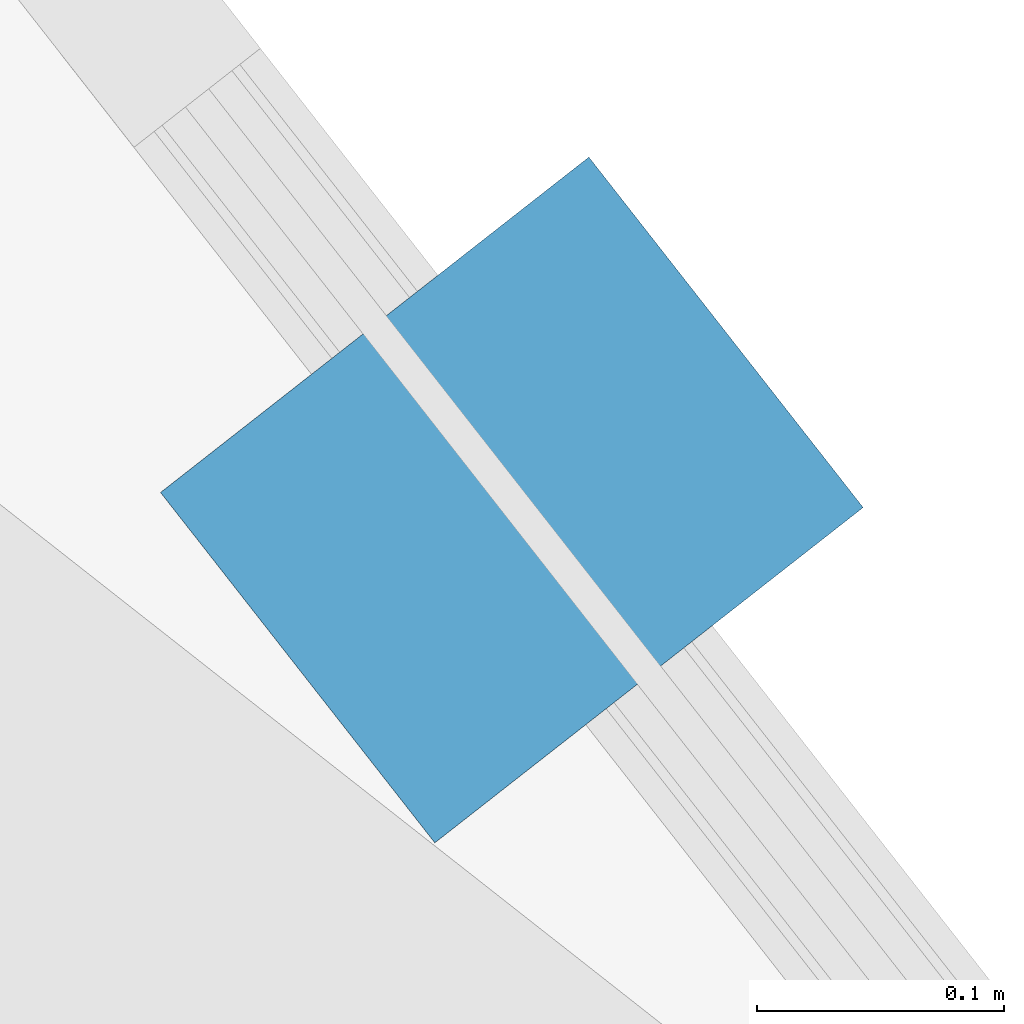
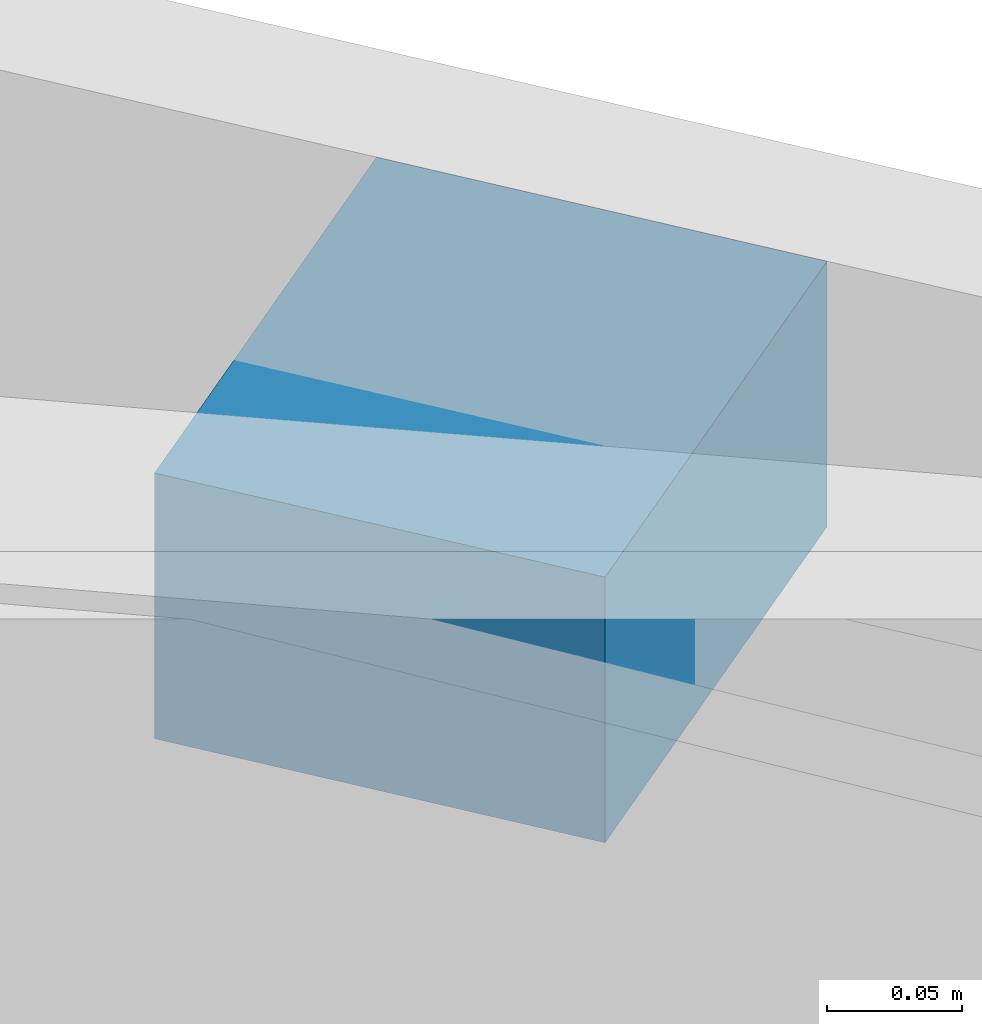
# One storey, part 10 of 13: 1 discrete accessory.
"""IFC4 building model written with IfcOpenShell, lengths in metres."""

import ifcopenshell
import ifcopenshell.guid

model = None  # the IFC model being written
_history = None  # IfcOwnerHistory: only IFC2X3 demands one
_inside = {}  # id of a spatial element -> (the spatial element, [elements in it])
_under = {}  # id of a project, library or spatial element -> (it, [spatial elements below it])
_declared = {}  # id of a project -> (the project, [libraries it declares])
_typed = {}  # id of a type object -> (the type object, [elements of that type])
_made_of = {}  # id of a material, layer set ... -> (it, [elements and type objects made of it])


def new_model(schema):
    """Start an empty IFC model of exactly this schema.

    Asked for "IFC4X3", IfcOpenShell would pick the latest addendum, in which some entities
    have other attributes; the version numbers below select the first issue.
    IFC2X3 requires an IfcOwnerHistory on every rooted entity: one is made here for all.
    """
    global model, _history
    if schema == "IFC4X3":
        model = ifcopenshell.file(schema_version=(4, 3, 0, 0))
    else:
        model = ifcopenshell.file(schema=schema)
    _inside.clear()
    _under.clear()
    _declared.clear()
    _typed.clear()
    _made_of.clear()
    _history = None
    if model.schema == "IFC2X3":
        org = make("IfcOrganization", Name="unknown")
        user = make(
            "IfcPersonAndOrganization",
            ThePerson=make("IfcPerson", FamilyName="unknown"),
            TheOrganization=org,
        )
        app = make(
            "IfcApplication",
            ApplicationDeveloper=org,
            Version="unknown",
            ApplicationFullName="unknown",
            ApplicationIdentifier="unknown",
        )
        _history = make(
            "IfcOwnerHistory",
            OwningUser=user,
            OwningApplication=app,
            ChangeAction="ADDED",
            CreationDate=0,
        )
    return model


def make(cls, **values):
    """One entity of the class cls with the attributes given. An attribute that is None is left unset."""
    return model.create_entity(
        cls, **{name: value for name, value in values.items() if value is not None}
    )


def rooted(cls, **values):
    """An entity with a GlobalId (a new one), such as an element, a storey or a relation."""
    return make(cls, GlobalId=ifcopenshell.guid.new(), OwnerHistory=_history, **values)


def si_unit(unit_type, name, prefix=None):
    """IfcSIUnit, for example si_unit("LENGTHUNIT", "METRE", prefix="MILLI")."""
    return make("IfcSIUnit", UnitType=unit_type, Prefix=prefix, Name=name)


def assignment(units):
    """IfcUnitAssignment: the units of a project."""
    return None if units is None else make("IfcUnitAssignment", Units=units)


def point(xyz):
    """IfcCartesianPoint."""
    return None if xyz is None else make("IfcCartesianPoint", Coordinates=xyz)


def direction(xyz):
    """IfcDirection."""
    return None if xyz is None else make("IfcDirection", DirectionRatios=xyz)


def frame(location, z_axis=None, x_axis=None):
    """IfcAxis2Placement3D, a coordinate frame: its origin and axes. An axis left out is left unset."""
    return make(
        "IfcAxis2Placement3D",
        Location=point(location),
        Axis=direction(z_axis),
        RefDirection=direction(x_axis),
    )


def frame_2d(location, x_axis=None):
    """IfcAxis2Placement2D, a coordinate frame in the plane: its origin and x axis."""
    return make(
        "IfcAxis2Placement2D", Location=point(location), RefDirection=direction(x_axis)
    )


def origin():
    """The frame at (0, 0, 0) with its axes left unset."""
    return frame((0.0, 0.0, 0.0))


def origin_2d():
    """The frame at (0, 0) in the plane with its x axis left unset."""
    return frame_2d((0.0, 0.0))


def place(relative_to, where):
    """IfcLocalPlacement: puts the frame where relative to a parent placement (None: the world)."""
    return make(
        "IfcLocalPlacement", PlacementRelTo=relative_to, RelativePlacement=where
    )


def context(
    kind, dimensions, precision=None, world=None, true_north=None, identifier=None
):
    """IfcGeometricRepresentationContext, for example the 3D "Model" context."""
    return make(
        "IfcGeometricRepresentationContext",
        ContextIdentifier=identifier,
        ContextType=kind,
        CoordinateSpaceDimension=dimensions,
        Precision=precision,
        WorldCoordinateSystem=world,
        TrueNorth=true_north,
    )


def subcontext(parent, identifier, kind, view, scale=None):
    """IfcGeometricRepresentationSubContext, for example "Body" below "Model"."""
    return make(
        "IfcGeometricRepresentationSubContext",
        ContextIdentifier=identifier,
        ContextType=kind,
        ParentContext=parent,
        TargetScale=scale,
        TargetView=view,
    )


def project(units=None, contexts=None):
    """IfcProject with its units and contexts."""
    return rooted(
        "IfcProject",
        Name="project",
        RepresentationContexts=contexts,
        UnitsInContext=assignment(units),
    )


def spatial(cls, under=None, at=None, **own):
    """A site, building, storey or space (cls), placed at a placement, below another one or the project."""
    s = rooted(cls, ObjectPlacement=at, **own)
    if under is not None:
        _under.setdefault(under.id(), (under, []))[1].append(s)
    return s


def profile(cls, at=None, kind="AREA", **sizes):
    """A parametric profile (cls). Its sizes go by their IFC names, for example OverallWidth=200.0."""
    return make(cls, ProfileType=kind, Position=at, **sizes)


def rectangle(**sizes):
    """IfcRectangleProfileDef."""
    return profile("IfcRectangleProfileDef", **sizes)


def extrude(swept, where, along, depth):
    """IfcExtrudedAreaSolid: the profile swept, set in the frame where, extruded along a direction by depth."""
    return make(
        "IfcExtrudedAreaSolid",
        SweptArea=swept,
        Position=where,
        ExtrudedDirection=direction(along),
        Depth=depth,
    )


def shape(context_of_items, identifier, shape_type, items):
    """IfcShapeRepresentation: the items that make up one representation, for example the "Body"."""
    return make(
        "IfcShapeRepresentation",
        ContextOfItems=context_of_items,
        RepresentationIdentifier=identifier,
        RepresentationType=shape_type,
        Items=items,
    )


def material(Name=None, Category=None):
    """IfcMaterial."""
    return make("IfcMaterial", Name=Name, Category=Category)


def made_of(thing, what):
    """Note that an element or type object is made of a material, layer set ...; save() writes the relation."""
    if what is not None:
        _made_of.setdefault(what.id(), (what, []))[1].append(thing)
    return thing


def type_object(cls, material=None, **own):
    """A type object (cls), such as IfcWallType, which elements share."""
    return made_of(rooted(cls, **own), material)


def element(
    cls,
    number,
    at=None,
    inside=None,
    cuts=None,
    type_object=None,
    material=None,
    context=None,
    identifier="Body",
    shape_type=None,
    held_by="IfcProductDefinitionShape",
    body=None,
    shapes=None,
    **own,
):
    """One element of the class cls, such as IfcWall. Its Tag is "e" and its number.

    at: its placement. inside: the storey or other place that contains it. cuts: it is an
    opening in that element (IfcRelVoidsElement). A single representation is given by context,
    identifier, shape_type and body (its items); several are given by shapes. held_by: the class
    of the entity that holds the representations. save() writes the other relations.
    """
    e = rooted(cls, Tag="e%d" % number, ObjectPlacement=at, **own)
    if body is not None:
        shapes = [shape(context, identifier, shape_type, body)]
    if shapes is not None:
        e.Representation = make(held_by, Representations=shapes)
    if inside is not None:
        _inside.setdefault(inside.id(), (inside, []))[1].append(e)
    if cuts is not None:
        rooted(
            "IfcRelVoidsElement", RelatingBuildingElement=cuts, RelatedOpeningElement=e
        )
    if type_object is not None:
        _typed.setdefault(type_object.id(), (type_object, []))[1].append(e)
    return made_of(e, material)


def aggregate(whole, parts):
    """IfcRelAggregates: a whole, such as a stair, and the parts it consists of."""
    return rooted("IfcRelAggregates", RelatingObject=whole, RelatedObjects=parts)


def save(model, path):
    """Write the relations noted so far, then the file.

    IfcRelAggregates (storeys below a building ...), IfcRelContainedInSpatialStructure (elements
    in a storey), IfcRelDefinesByType, IfcRelAssociatesMaterial and IfcRelDeclares: one each for
    every whole, place, type object, material and project.
    """
    for whole, parts in _under.values():
        aggregate(whole, parts)
    for where, things in _inside.values():
        rooted(
            "IfcRelContainedInSpatialStructure",
            RelatedElements=things,
            RelatingStructure=where,
        )
    for kind, things in _typed.values():
        rooted("IfcRelDefinesByType", RelatedObjects=things, RelatingType=kind)
    for what, things in _made_of.values():
        rooted("IfcRelAssociatesMaterial", RelatedObjects=things, RelatingMaterial=what)
    for by, libraries in _declared.values():
        rooted("IfcRelDeclares", RelatingContext=by, RelatedDefinitions=libraries)
    model.write(path)


model = new_model("IFC4")

# Units and contexts
model_context = context("Model", 3, precision=1e-05, world=origin(), true_north=direction((0.0, 1.0)))
body_context = subcontext(model_context, "Body", "Model", "MODEL_VIEW")
ifc_project = project(units=[si_unit("LENGTHUNIT", "METRE"), si_unit("AREAUNIT", "SQUARE_METRE"), si_unit("VOLUMEUNIT", "CUBIC_METRE"), si_unit("PLANEANGLEUNIT", "RADIAN"), si_unit("MASSUNIT", "GRAM", prefix="KILO")], contexts=[model_context])

# Site, building, storey
site_placement = place(None, origin())
site = spatial("IfcSite", under=ifc_project, at=site_placement, CompositionType="ELEMENT")
building_placement = place(site_placement, origin())
building = spatial("IfcBuilding", under=site, at=building_placement, Name="Kolvaren Gate Tower and Convention Centre", CompositionType="ELEMENT")
storey_placement = place(building_placement, frame((0.0, 0.0, 142.699951171875)))
storey = spatial("IfcBuildingStorey", under=building, at=storey_placement, Name="L36", CompositionType="ELEMENT", Elevation=142.699951171875)

# Discrete accessory
ifc_material = material(Name="Anodized Architectural Aluminium Alloy 6063-T6", Category="aluminium")
discrete_accessory_type = type_object("IfcDiscreteAccessoryType", Name="ARCH-ACC-BRACKET-120", PredefinedType="BRACKET", material=ifc_material)
discrete_accessory_placement = place(storey_placement, frame((42.70361328125, 40.142333984375, 2.949951171875), z_axis=(0.0, 0.0, 1.0), x_axis=(0.616434119112, -0.787406487651, 0.0)))
element("IfcDiscreteAccessory", 1, at=discrete_accessory_placement, inside=storey, type_object=discrete_accessory_type, Name="Solar Screen Spandrel Anchor Bracket BK-L36-03", PredefinedType="BRACKET", context=body_context, shape_type="SweptSolid", body=[
    extrude(rectangle(XDim=0.179931640625, YDim=0.219970703125, at=origin_2d()), origin(), (0.0, 0.0, 1.0), 0.1201171875),
])

save(model, "model.ifc")
